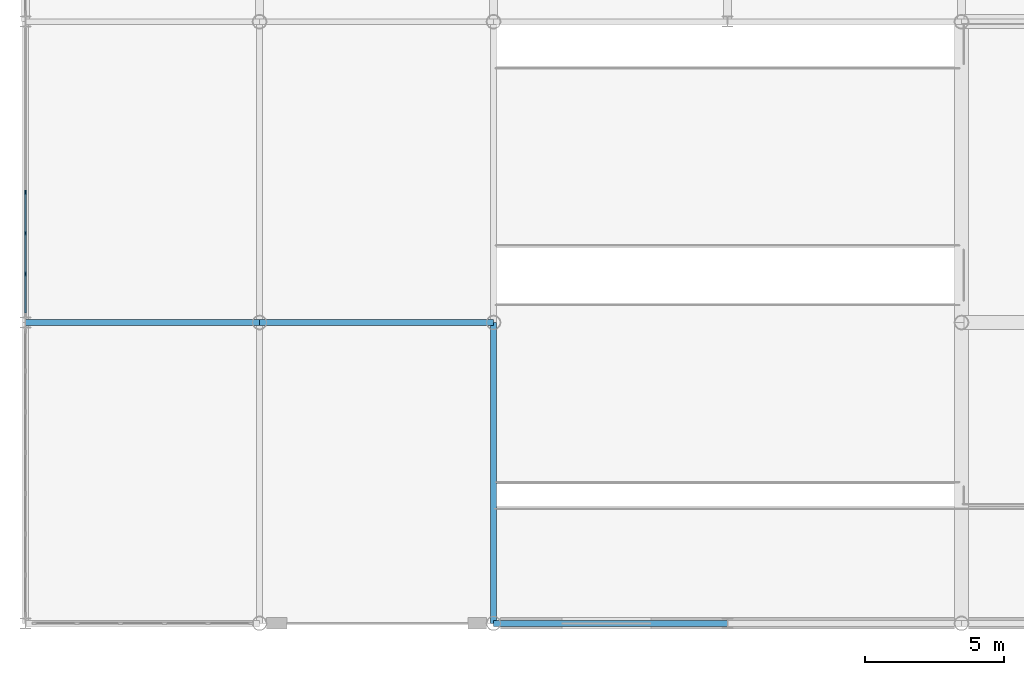
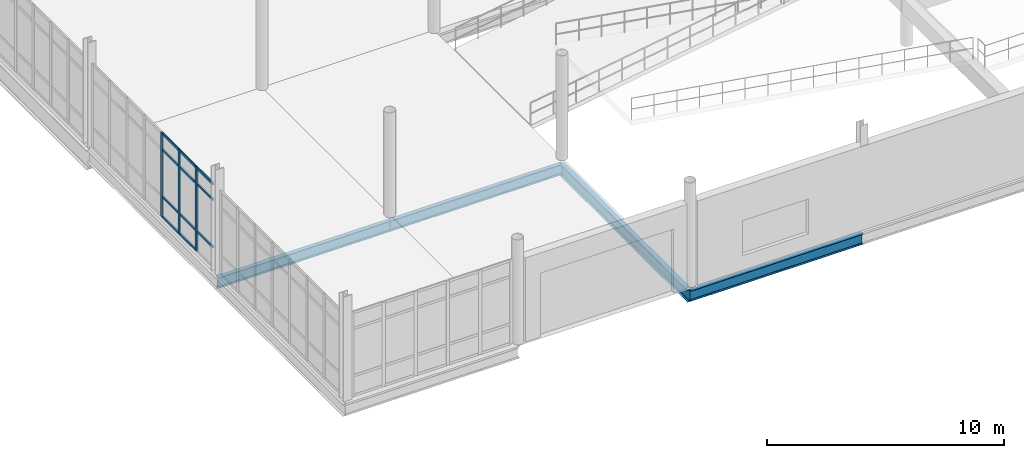
# One storey, part 21 of 111: 14 members, 4 beams, 1 element without a shape of its own.
"""IFC4 building model written with IfcOpenShell, lengths in metres."""

from ifc_helpers import new_model, si_unit, direction, frame, origin, origin_2d, place, context, subcontext, project, spatial, rectangle, i_section, extrude, material, layer, layer_set, material_profile, profile_set, type_object, element, aggregate, save


model = new_model("IFC4")

# Units and contexts
model_context = context("Model", 3, precision=1e-05, world=origin(), true_north=direction((0.0, 1.0)))
body_context = subcontext(model_context, "Body", "Model", "MODEL_VIEW")
ifc_project = project(units=[si_unit("LENGTHUNIT", "METRE"), si_unit("AREAUNIT", "SQUARE_METRE"), si_unit("VOLUMEUNIT", "CUBIC_METRE"), si_unit("PLANEANGLEUNIT", "RADIAN"), si_unit("MASSUNIT", "GRAM", prefix="KILO"), si_unit("THERMODYNAMICTEMPERATUREUNIT", "KELVIN"), si_unit("POWERUNIT", "WATT")], contexts=[model_context])

# Site, building, storey
site_placement = place(None, origin())
site = spatial("IfcSite", under=ifc_project, at=site_placement, CompositionType="ELEMENT")
building_placement = place(site_placement, origin())
building = spatial("IfcBuilding", under=site, at=building_placement, Name="Tembeka Court Mobility Hub", CompositionType="ELEMENT")
storey_placement = place(building_placement, origin())
storey = spatial("IfcBuildingStorey", under=building, at=storey_placement, Name="L00", CompositionType="ELEMENT", Elevation=0.0)

# Beams
ifc_material_1 = material(Name="Steel S355", Category="steel")
ifc_material_profile_1 = material_profile(ifc_material_1, i_section(OverallWidth=0.22900390625, OverallDepth=0.612060546875, WebThickness=0.011962890625, FlangeThickness=0.01953125, FilletRadius=0.0126953125, at=origin_2d()), Name="UKB 610x229x125")
ifc_profile_set_1 = profile_set([ifc_material_profile_1], Name="Steel S355")
beam_type_1 = type_object("IfcBeamType", Name="BM-G02", PredefinedType="USERDEFINED", material=ifc_profile_set_1)
beam_1_placement = place(storey_placement, frame((16.800048828125, 0.0, -0.5859375), z_axis=(0.0, 1.0, 0.0), x_axis=(-1.0, 0.0, 0.0)))
element("IfcBeam", 1, at=beam_1_placement, inside=storey, type_object=beam_type_1, Name="Beam G02 (BM-L00-Y0186)", ObjectType="GIRDER", PredefinedType="USERDEFINED", context=body_context, shape_type="SweptSolid", body=[
    extrude(i_section(OverallWidth=0.22900390625, OverallDepth=0.612060546875, WebThickness=0.011962890625, FlangeThickness=0.01953125, FilletRadius=0.0126953125, at=origin_2d()), origin(), (0.0, 0.0, 1.0), 10.800048828125),
])
ifc_material_profile_2 = material_profile(ifc_material_1, i_section(OverallWidth=0.2099609375, OverallDepth=0.537109375, WebThickness=0.0107421875, FlangeThickness=0.017333984375, FilletRadius=0.0126953125, at=origin_2d()), Name="UKB 533x210x101")
ifc_profile_set_2 = profile_set([ifc_material_profile_2], Name="Steel S355")
beam_type_2 = type_object("IfcBeamType", Name="BM-G03", PredefinedType="USERDEFINED", material=ifc_profile_set_2)
for number, where, z_axis, x_axis, name in (
    (2, (16.800048828125, 0.0, -0.548583984375), (1.0, 0.0, 0.0), (0.0, 1.0, 0.0), "Beam G03 (BM-L00-X0002)"),
    (3, (0.0, 10.800048828125, -0.548583984375), (1.0, 0.0, 0.0), (0.0, 1.0, 0.0), "Beam G03 (BM-L00-X0016)"),
):
    element("IfcBeam", number, at=place(storey_placement, frame(where, z_axis=z_axis, x_axis=x_axis)), inside=storey, type_object=beam_type_2, Name=name, ObjectType="GIRDER", PredefinedType="USERDEFINED", context=body_context, shape_type="SweptSolid", body=[
        extrude(i_section(OverallWidth=0.2099609375, OverallDepth=0.537109375, WebThickness=0.0107421875, FlangeThickness=0.017333984375, FilletRadius=0.0126953125, at=origin_2d()), origin(), (0.0, 0.0, 1.0), 8.39990234375),
    ])
beam_2_placement = place(storey_placement, frame((8.39990234375, 10.800048828125, -0.548583984375), z_axis=(1.0, 0.0, 0.0), x_axis=(0.0, 1.0, 0.0)))
element("IfcBeam", 4, at=beam_2_placement, inside=storey, type_object=beam_type_2, Name="Beam G03 (BM-L00-X0017)", ObjectType="GIRDER", PredefinedType="USERDEFINED", context=body_context, shape_type="SweptSolid", body=[
    extrude(i_section(OverallWidth=0.2099609375, OverallDepth=0.537109375, WebThickness=0.0107421875, FlangeThickness=0.017333984375, FilletRadius=0.0126953125, at=origin_2d()), origin(), (0.0, 0.0, 1.0), 8.400146484375),
])

# Curtain wall, members
ifc_material_2 = material(Name="Anodised aluminium 6063-T6", Category="aluminium")
ifc_layer = layer(ifc_material_2, 0.159912109375)
ifc_layer_set = layer_set([ifc_layer], Name="Anodised aluminium 6063-T6")
curtain_wall_type = type_object("IfcCurtainWallType", Name="CW-SYS18", PredefinedType="USERDEFINED", material=ifc_layer_set)
curtain_wall_placement = place(storey_placement, origin())
curtain_wall = element("IfcCurtainWall", 5, at=curtain_wall_placement, inside=storey, type_object=curtain_wall_type, Name="Unitised curtain wall CW18 (CW-L00-024)", ObjectType="UNITISED GLAZING", PredefinedType="USERDEFINED")
ifc_material_profile_3 = material_profile(ifc_material_2, rectangle(XDim=0.06494140625, YDim=0.159912109375, at=origin_2d()), Name="ALU-MUL 65x160")
ifc_profile_set_3 = profile_set([ifc_material_profile_3], Name="Anodised aluminium 6063-T6")
member_type_1 = type_object("IfcMemberType", Name="CW-MUL01", PredefinedType="MULLION", material=ifc_profile_set_3)
member_1_placement = place(storey_placement, frame((0.0, 12.54296875, 0.0), z_axis=(0.0, 0.0, 1.0), x_axis=(-1.0, 0.0, 0.0)))
member_1 = element("IfcMember", 6, at=member_1_placement, type_object=member_type_1, Name="CW18 mullion 2", PredefinedType="MULLION", context=body_context, shape_type="SweptSolid", body=[
    extrude(rectangle(XDim=0.06494140625, YDim=0.159912109375, at=origin_2d()), origin(), (0.0, 0.0, 1.0), 4.3349609375),
])
member_2_placement = place(storey_placement, frame((0.0, 14.005615234375, 0.0), z_axis=(0.0, 0.0, 1.0), x_axis=(-1.0, 0.0, 0.0)))
member_2 = element("IfcMember", 7, at=member_2_placement, type_object=member_type_1, Name="CW18 mullion 3", PredefinedType="MULLION", context=body_context, shape_type="SweptSolid", body=[
    extrude(rectangle(XDim=0.06494140625, YDim=0.159912109375, at=origin_2d()), origin(), (0.0, 0.0, 1.0), 4.3349609375),
])
member_3_placement = place(storey_placement, frame((0.0, 15.468505859375, 0.0), z_axis=(0.0, 0.0, 1.0), x_axis=(-1.0, 0.0, 0.0)))
member_3 = element("IfcMember", 8, at=member_3_placement, type_object=member_type_1, Name="CW18 mullion 4", PredefinedType="MULLION", context=body_context, shape_type="SweptSolid", body=[
    extrude(rectangle(XDim=0.06494140625, YDim=0.159912109375, at=origin_2d()), origin(), (0.0, 0.0, 1.0), 4.3349609375),
])
ifc_material_profile_4 = material_profile(ifc_material_2, rectangle(XDim=0.06494140625, YDim=0.1201171875, at=origin_2d()), Name="ALU-TRN 65x120")
ifc_profile_set_4 = profile_set([ifc_material_profile_4], Name="Anodised aluminium 6063-T6")
member_type_2 = type_object("IfcMemberType", Name="CW-TRN01", PredefinedType="USERDEFINED", material=ifc_profile_set_4)
member_4_placement = place(storey_placement, frame((0.0, 11.14501953125, 1.050048828125), z_axis=(0.0, 1.0, 0.0), x_axis=(-1.0, 0.0, 0.0)))
member_4 = element("IfcMember", 9, at=member_4_placement, type_object=member_type_2, Name="CW18 transom 1.2", ObjectType="TRANSOM", PredefinedType="USERDEFINED", context=body_context, shape_type="SweptSolid", body=[
    extrude(rectangle(XDim=0.06494140625, YDim=0.1201171875, at=origin_2d()), origin(), (0.0, 0.0, 1.0), 1.365234375),
])
member_5_placement = place(storey_placement, frame((0.0, 11.14501953125, 3.485107421875), z_axis=(0.0, 1.0, 0.0), x_axis=(-1.0, 0.0, 0.0)))
member_5 = element("IfcMember", 10, at=member_5_placement, type_object=member_type_2, Name="CW18 transom 1.3", ObjectType="TRANSOM", PredefinedType="USERDEFINED", context=body_context, shape_type="SweptSolid", body=[
    extrude(rectangle(XDim=0.06494140625, YDim=0.1201171875, at=origin_2d()), origin(), (0.0, 0.0, 1.0), 1.365234375),
])
member_6_placement = place(storey_placement, frame((0.0, 11.14501953125, 4.302490234375), z_axis=(0.0, 1.0, 0.0), x_axis=(-1.0, 0.0, 0.0)))
member_6 = element("IfcMember", 11, at=member_6_placement, type_object=member_type_2, Name="CW18 transom 1.4", ObjectType="TRANSOM", PredefinedType="USERDEFINED", context=body_context, shape_type="SweptSolid", body=[
    extrude(rectangle(XDim=0.06494140625, YDim=0.1201171875, at=origin_2d()), origin(), (0.0, 0.0, 1.0), 1.365234375),
])
member_7_placement = place(storey_placement, frame((0.0, 12.575439453125, 0.032470703125), z_axis=(0.0, 1.0, 0.0), x_axis=(-1.0, 0.0, 0.0)))
member_7 = element("IfcMember", 12, at=member_7_placement, type_object=member_type_2, Name="CW18 transom 2.1", ObjectType="TRANSOM", PredefinedType="USERDEFINED", context=body_context, shape_type="SweptSolid", body=[
    extrude(rectangle(XDim=0.06494140625, YDim=0.1201171875, at=origin_2d()), origin(), (0.0, 0.0, 1.0), 1.397705078125),
])
member_8_placement = place(storey_placement, frame((0.0, 12.575439453125, 1.050048828125), z_axis=(0.0, 1.0, 0.0), x_axis=(-1.0, 0.0, 0.0)))
member_8 = element("IfcMember", 13, at=member_8_placement, type_object=member_type_2, Name="CW18 transom 2.2", ObjectType="TRANSOM", PredefinedType="USERDEFINED", context=body_context, shape_type="SweptSolid", body=[
    extrude(rectangle(XDim=0.06494140625, YDim=0.1201171875, at=origin_2d()), origin(), (0.0, 0.0, 1.0), 1.397705078125),
])
member_9_placement = place(storey_placement, frame((0.0, 12.575439453125, 3.485107421875), z_axis=(0.0, 1.0, 0.0), x_axis=(-1.0, 0.0, 0.0)))
member_9 = element("IfcMember", 14, at=member_9_placement, type_object=member_type_2, Name="CW18 transom 2.3", ObjectType="TRANSOM", PredefinedType="USERDEFINED", context=body_context, shape_type="SweptSolid", body=[
    extrude(rectangle(XDim=0.06494140625, YDim=0.1201171875, at=origin_2d()), origin(), (0.0, 0.0, 1.0), 1.397705078125),
])
member_10_placement = place(storey_placement, frame((0.0, 12.575439453125, 4.302490234375), z_axis=(0.0, 1.0, 0.0), x_axis=(-1.0, 0.0, 0.0)))
member_10 = element("IfcMember", 15, at=member_10_placement, type_object=member_type_2, Name="CW18 transom 2.4", ObjectType="TRANSOM", PredefinedType="USERDEFINED", context=body_context, shape_type="SweptSolid", body=[
    extrude(rectangle(XDim=0.06494140625, YDim=0.1201171875, at=origin_2d()), origin(), (0.0, 0.0, 1.0), 1.397705078125),
])
member_11_placement = place(storey_placement, frame((0.0, 14.038330078125, 0.032470703125), z_axis=(0.0, 1.0, 0.0), x_axis=(-1.0, 0.0, 0.0)))
member_11 = element("IfcMember", 16, at=member_11_placement, type_object=member_type_2, Name="CW18 transom 3.1", ObjectType="TRANSOM", PredefinedType="USERDEFINED", context=body_context, shape_type="SweptSolid", body=[
    extrude(rectangle(XDim=0.06494140625, YDim=0.1201171875, at=origin_2d()), origin(), (0.0, 0.0, 1.0), 1.397705078125),
])
member_12_placement = place(storey_placement, frame((0.0, 14.038330078125, 1.050048828125), z_axis=(0.0, 1.0, 0.0), x_axis=(-1.0, 0.0, 0.0)))
member_12 = element("IfcMember", 17, at=member_12_placement, type_object=member_type_2, Name="CW18 transom 3.2", ObjectType="TRANSOM", PredefinedType="USERDEFINED", context=body_context, shape_type="SweptSolid", body=[
    extrude(rectangle(XDim=0.06494140625, YDim=0.1201171875, at=origin_2d()), origin(), (0.0, 0.0, 1.0), 1.397705078125),
])
member_13_placement = place(storey_placement, frame((0.0, 14.038330078125, 3.485107421875), z_axis=(0.0, 1.0, 0.0), x_axis=(-1.0, 0.0, 0.0)))
member_13 = element("IfcMember", 18, at=member_13_placement, type_object=member_type_2, Name="CW18 transom 3.3", ObjectType="TRANSOM", PredefinedType="USERDEFINED", context=body_context, shape_type="SweptSolid", body=[
    extrude(rectangle(XDim=0.06494140625, YDim=0.1201171875, at=origin_2d()), origin(), (0.0, 0.0, 1.0), 1.397705078125),
])
member_14_placement = place(storey_placement, frame((0.0, 14.038330078125, 4.302490234375), z_axis=(0.0, 1.0, 0.0), x_axis=(-1.0, 0.0, 0.0)))
member_14 = element("IfcMember", 19, at=member_14_placement, type_object=member_type_2, Name="CW18 transom 3.4", ObjectType="TRANSOM", PredefinedType="USERDEFINED", context=body_context, shape_type="SweptSolid", body=[
    extrude(rectangle(XDim=0.06494140625, YDim=0.1201171875, at=origin_2d()), origin(), (0.0, 0.0, 1.0), 1.397705078125),
])
aggregate(curtain_wall, [member_1, member_2, member_3, member_4, member_5, member_6, member_7, member_8, member_9, member_10, member_11, member_12, member_13, member_14])

save(model, "model.ifc")
